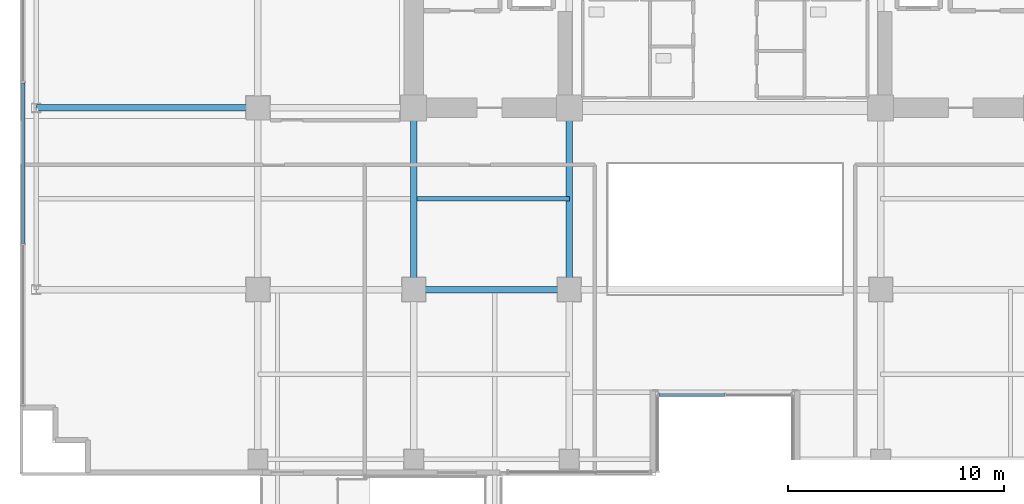
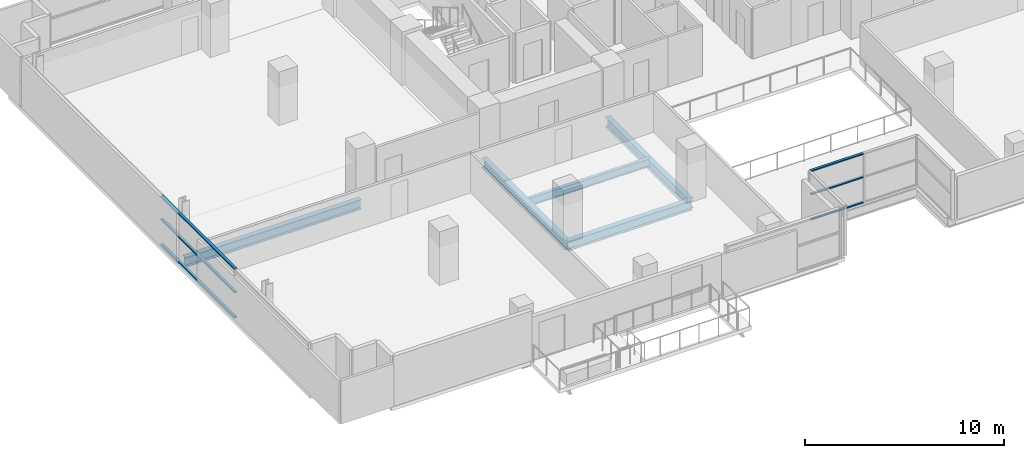
# One storey, part 7 of 30: 6 members, 5 beams, 2 elements without a shape of their own.
"""IFC4 building model written with IfcOpenShell, lengths in metres."""

from ifc_helpers import new_model, si_unit, direction, frame, origin, origin_2d, place, context, subcontext, project, spatial, hollow_rectangle, i_section, extrude, source, transform, mapped, material, layer, layer_set, material_profile, profile_set, type_object, element, aggregate, save


model = new_model("IFC4")

# Units and contexts
model_context = context("Model", 3, precision=1e-05, world=origin(), true_north=direction((0.0, 1.0)))
body_context = subcontext(model_context, "Body", "Model", "MODEL_VIEW")
ifc_project = project(units=[si_unit("LENGTHUNIT", "METRE"), si_unit("AREAUNIT", "SQUARE_METRE"), si_unit("VOLUMEUNIT", "CUBIC_METRE"), si_unit("PLANEANGLEUNIT", "RADIAN"), si_unit("MASSUNIT", "GRAM", prefix="KILO")], contexts=[model_context])

# Site, building, storey
site_placement = place(None, origin())
site = spatial("IfcSite", under=ifc_project, at=site_placement, CompositionType="ELEMENT")
building_placement = place(site_placement, origin())
building = spatial("IfcBuilding", under=site, at=building_placement, Name="Zarnakvel Exchange Tower", CompositionType="ELEMENT")
storey_placement = place(building_placement, frame((0.0, 0.0, 30.699951171875)))
storey = spatial("IfcBuildingStorey", under=building, at=storey_placement, Name="L07", CompositionType="ELEMENT", Elevation=30.699951171875)

# Beams
ifc_material_1 = material(Name="Steel S355", Category="steel")
ifc_material_profile_1 = material_profile(ifc_material_1, i_section(OverallWidth=0.199951171875, OverallDepth=0.5, WebThickness=0.01025390625, FlangeThickness=0.01611328125, FilletRadius=0.02099609375, at=origin_2d()))
ifc_profile_set_1 = profile_set([ifc_material_profile_1], Name="Steel S355")
beam_type_1 = type_object("IfcBeamType", Name="B-04", PredefinedType="JOIST", material=ifc_profile_set_1)
beam_1_placement = place(storey_placement, frame((-14.25, -5.39990234375, -0.474853515625), z_axis=(1.0, 0.0, 0.0), x_axis=(0.0, 1.0, 0.0)))
element("IfcBeam", 1, at=beam_1_placement, inside=storey, type_object=beam_type_1, Name="L07 Composite Floor Secondary Joist", PredefinedType="JOIST", context=body_context, shape_type="SweptSolid", body=[
    extrude(i_section(OverallWidth=0.199951171875, OverallDepth=0.5, WebThickness=0.01025390625, FlangeThickness=0.01611328125, FilletRadius=0.02099609375, at=origin_2d()), origin(), (0.0, 0.0, 1.0), 7.050048828125),
])
ifc_material_profile_2 = material_profile(ifc_material_1, i_section(OverallWidth=0.300048828125, OverallDepth=0.60009765625, WebThickness=0.015380859375, FlangeThickness=0.030029296875, FilletRadius=0.027099609375, at=origin_2d()))
ifc_profile_set_2 = profile_set([ifc_material_profile_2], Name="Steel S355")
beam_type_2 = type_object("IfcBeamType", Name="G-04", PredefinedType="BEAM", material=ifc_profile_set_2)
beam_2_placement = place(storey_placement, frame((-14.39990234375, -9.60009765625, -0.52490234375), z_axis=(1.0, 0.0, 0.0), x_axis=(0.0, 1.0, 0.0)))
element("IfcBeam", 2, at=beam_2_placement, inside=storey, type_object=beam_type_2, Name="L07 Tower E-W Frame Beam", PredefinedType="BEAM", context=body_context, shape_type="SweptSolid", body=[
    extrude(i_section(OverallWidth=0.300048828125, OverallDepth=0.60009765625, WebThickness=0.015380859375, FlangeThickness=0.030029296875, FilletRadius=0.027099609375, at=origin_2d()), origin(), (0.0, 0.0, 1.0), 7.199951171875),
])
beam_3_placement = place(storey_placement, frame((-31.85009765625, -1.199951171875, -0.52490234375), z_axis=(1.0, 0.0, 0.0), x_axis=(0.0, 1.0, 0.0)))
element("IfcBeam", 3, at=beam_3_placement, inside=storey, type_object=beam_type_2, Name="L07 Tower E-W Frame Beam", PredefinedType="BEAM", context=body_context, shape_type="SweptSolid", body=[
    extrude(i_section(OverallWidth=0.300048828125, OverallDepth=0.60009765625, WebThickness=0.015380859375, FlangeThickness=0.030029296875, FilletRadius=0.027099609375, at=origin_2d()), origin(), (0.0, 0.0, 1.0), 10.25),
])
for number, where, z_axis, x_axis, name in (
    (4, (-14.39990234375, -9.60009765625, -0.52490234375), (0.0, 1.0, 0.0), (-1.0, 0.0, 0.0), "L07 Tower N-S Frame Beam"),
    (5, (-7.199951171875, -9.60009765625, -0.52490234375), (0.0, 1.0, 0.0), (-1.0, 0.0, 0.0), "L07 Tower N-S Frame Beam"),
):
    element("IfcBeam", number, at=place(storey_placement, frame(where, z_axis=z_axis, x_axis=x_axis)), inside=storey, type_object=beam_type_2, Name=name, PredefinedType="BEAM", context=body_context, shape_type="SweptSolid", body=[
        extrude(i_section(OverallWidth=0.300048828125, OverallDepth=0.60009765625, WebThickness=0.015380859375, FlangeThickness=0.030029296875, FilletRadius=0.027099609375, at=origin_2d()), origin(), (0.0, 0.0, 1.0), 8.400146484375),
    ])

# Curtain wall, members
ifc_material_2 = material(Name="Architectural Bronze Anodised Aluminium", Category="aluminium")
ifc_layer_1 = layer(ifc_material_2, 0.179931640625)
ifc_layer_set_1 = layer_set([ifc_layer_1], Name="Architectural Bronze Anodised Aluminium")
curtain_wall_type_1 = type_object("IfcCurtainWallType", Name="CW-05", PredefinedType="NOTDEFINED", material=ifc_layer_set_1)
curtain_wall_1_placement = place(storey_placement, origin())
curtain_wall_1 = element("IfcCurtainWall", 6, at=curtain_wall_1_placement, inside=storey, type_object=curtain_wall_type_1, Name="L07 Curtain Wall CW-L07-SLB (CW-05)", PredefinedType="NOTDEFINED")
ifc_material_profile_3 = material_profile(ifc_material_2, hollow_rectangle(XDim=0.139892578125, YDim=0.070068359375, WallThickness=0.00390625, at=origin_2d()))
ifc_profile_set_3 = profile_set([ifc_material_profile_3], Name="Architectural Bronze Anodised Aluminium")
member_type_1 = type_object("IfcMemberType", Name="CWT-05", PredefinedType="USERDEFINED", material=ifc_profile_set_3)
shared_shape_1 = source(origin(), body_context, "Body", "SweptSolid", [
    extrude(hollow_rectangle(XDim=0.139892578125, YDim=0.070068359375, WallThickness=0.00390625, at=origin_2d()), origin(), (0.0, 0.0, 1.0), 3.01513671875),
])
member_1_placement = place(storey_placement, frame((-3.050048828125, -14.47998046875, 0.03515625), z_axis=(1.0, 0.0, 0.0), x_axis=(0.0, 1.0, 0.0)))
member_1 = element("IfcMember", 7, at=member_1_placement, type_object=member_type_1, Name="CW-05 transom 1.1", ObjectType="TRANSOM", PredefinedType="USERDEFINED", context=body_context, shape_type="MappedRepresentation", body=[
    mapped(shared_shape_1, transform((0.0, 0.0, 0.0), x_axis=(1.0, 0.0, 0.0), y_axis=(0.0, 1.0, 0.0), z_axis=(0.0, 0.0, 1.0), scale=1.0)),
])
member_2_placement = place(storey_placement, frame((-3.050048828125, -14.47998046875, 1.588623046875), z_axis=(1.0, 0.0, 0.0), x_axis=(0.0, 1.0, 0.0)))
member_2 = element("IfcMember", 8, at=member_2_placement, type_object=member_type_1, Name="CW-05 transom 1.2", ObjectType="TRANSOM", PredefinedType="USERDEFINED", context=body_context, shape_type="MappedRepresentation", body=[
    mapped(shared_shape_1, transform((0.0, 0.0, 0.0), x_axis=(1.0, 0.0, 0.0), y_axis=(0.0, 1.0, 0.0), z_axis=(0.0, 0.0, 1.0), scale=1.0)),
])
member_3_placement = place(storey_placement, frame((-3.050048828125, -14.47998046875, 3.02001953125), z_axis=(1.0, 0.0, 0.0), x_axis=(0.0, 1.0, 0.0)))
member_3 = element("IfcMember", 9, at=member_3_placement, type_object=member_type_1, Name="CW-05 transom 1.3", ObjectType="TRANSOM", PredefinedType="USERDEFINED", context=body_context, shape_type="MappedRepresentation", body=[
    mapped(shared_shape_1, transform((0.0, 0.0, 0.0), x_axis=(1.0, 0.0, 0.0), y_axis=(0.0, 1.0, 0.0), z_axis=(0.0, 0.0, 1.0), scale=1.0)),
])
aggregate(curtain_wall_1, [member_1, member_2, member_3])

ifc_layer_2 = layer(ifc_material_2, 0.199951171875)
ifc_layer_set_2 = layer_set([ifc_layer_2], Name="Architectural Bronze Anodised Aluminium")
curtain_wall_type_2 = type_object("IfcCurtainWallType", Name="CW-04", PredefinedType="NOTDEFINED", material=ifc_layer_set_2)
curtain_wall_2_placement = place(storey_placement, origin())
curtain_wall_2 = element("IfcCurtainWall", 10, at=curtain_wall_2_placement, inside=storey, type_object=curtain_wall_type_2, Name="L07 Curtain Wall CW-L07-W1 (CW-04)", PredefinedType="NOTDEFINED")
ifc_material_profile_4 = material_profile(ifc_material_2, hollow_rectangle(XDim=0.159912109375, YDim=0.074951171875, WallThickness=0.00390625, at=origin_2d()))
ifc_profile_set_4 = profile_set([ifc_material_profile_4], Name="Architectural Bronze Anodised Aluminium")
member_type_2 = type_object("IfcMemberType", Name="CWT-04", PredefinedType="USERDEFINED", material=ifc_profile_set_4)
shared_shape_2 = source(origin(), body_context, "Body", "SweptSolid", [
    extrude(hollow_rectangle(XDim=0.159912109375, YDim=0.074951171875, WallThickness=0.00390625, at=origin_2d()), origin(), (0.0, 0.0, 1.0), 7.4248046875),
])
member_4_placement = place(storey_placement, frame((-32.4599609375, -7.46240234375, 0.03759765625), z_axis=(0.0, 1.0, 0.0), x_axis=(-1.0, 0.0, 0.0)))
member_4 = element("IfcMember", 11, at=member_4_placement, type_object=member_type_2, Name="CW-04 transom 2.1", ObjectType="TRANSOM", PredefinedType="USERDEFINED", context=body_context, shape_type="MappedRepresentation", body=[
    mapped(shared_shape_2, transform((0.0, 0.0, 0.0), x_axis=(1.0, 0.0, 0.0), y_axis=(0.0, 1.0, 0.0), z_axis=(0.0, 0.0, 1.0), scale=1.0)),
])
member_5_placement = place(storey_placement, frame((-32.4599609375, -7.46240234375, 1.588623046875), z_axis=(0.0, 1.0, 0.0), x_axis=(-1.0, 0.0, 0.0)))
member_5 = element("IfcMember", 12, at=member_5_placement, type_object=member_type_2, Name="CW-04 transom 2.2", ObjectType="TRANSOM", PredefinedType="USERDEFINED", context=body_context, shape_type="MappedRepresentation", body=[
    mapped(shared_shape_2, transform((0.0, 0.0, 0.0), x_axis=(1.0, 0.0, 0.0), y_axis=(0.0, 1.0, 0.0), z_axis=(0.0, 0.0, 1.0), scale=1.0)),
])
member_6_placement = place(storey_placement, frame((-32.4599609375, -7.46240234375, 3.017578125), z_axis=(0.0, 1.0, 0.0), x_axis=(-1.0, 0.0, 0.0)))
member_6 = element("IfcMember", 13, at=member_6_placement, type_object=member_type_2, Name="CW-04 transom 2.3", ObjectType="TRANSOM", PredefinedType="USERDEFINED", context=body_context, shape_type="MappedRepresentation", body=[
    mapped(shared_shape_2, transform((0.0, 0.0, 0.0), x_axis=(1.0, 0.0, 0.0), y_axis=(0.0, 1.0, 0.0), z_axis=(0.0, 0.0, 1.0), scale=1.0)),
])
aggregate(curtain_wall_2, [member_4, member_5, member_6])

save(model, "model.ifc")
